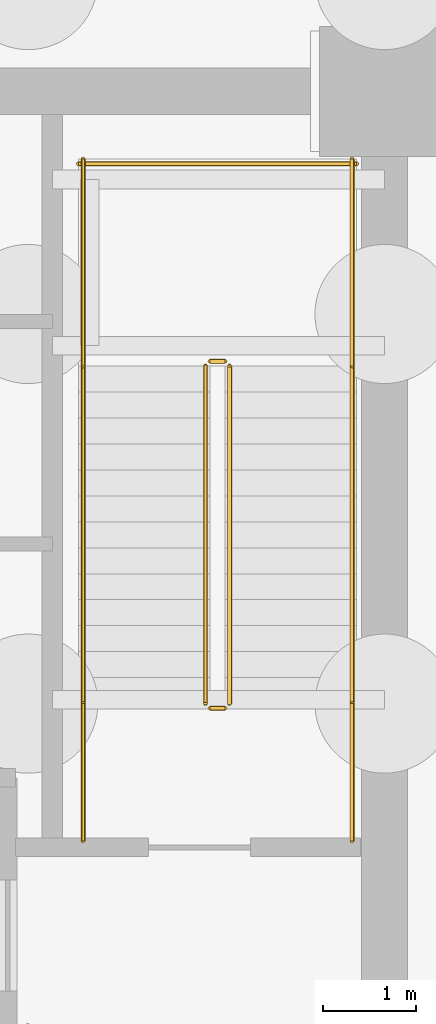
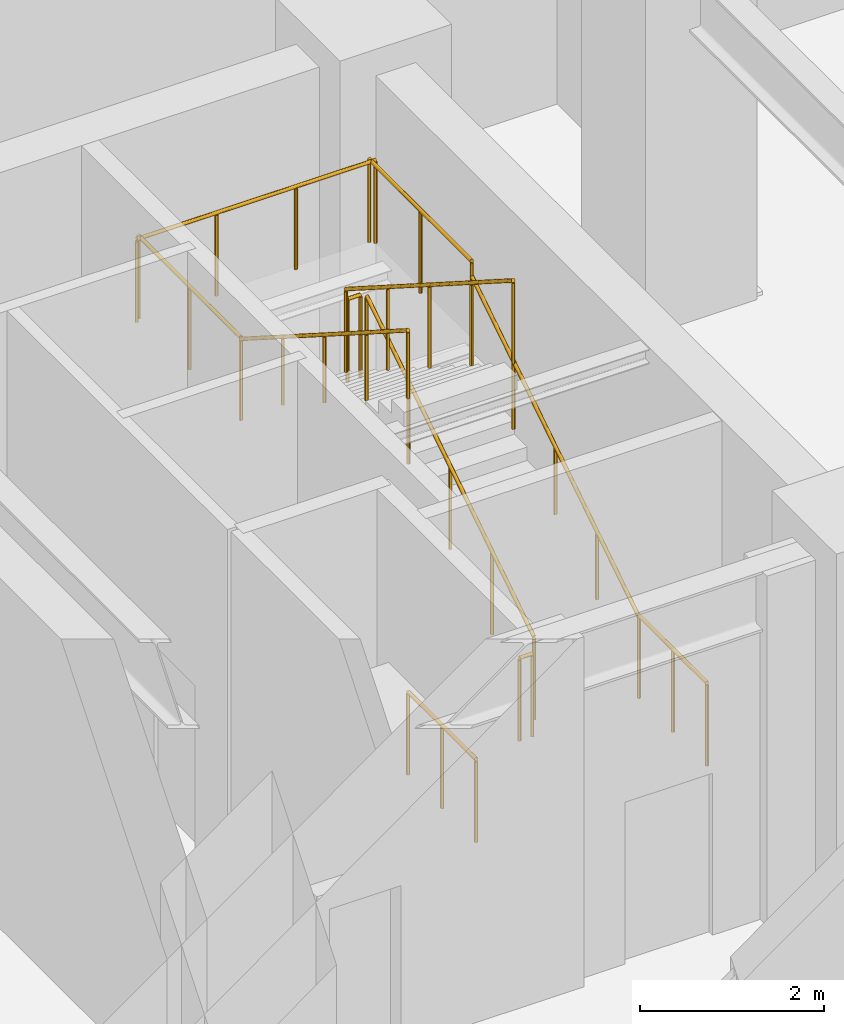
# One storey, part 8 of 9: 11 railings.
"""IFC4 building model written with IfcOpenShell, lengths in metres."""

from ifc_helpers import new_model, si_unit, direction, frame, origin, origin_2d, place, context, subcontext, project, spatial, circle, extrude, material, layer, layer_set, type_object, element, save


model = new_model("IFC4")

# Units and contexts
model_context = context("Model", 3, precision=1e-05, world=origin(), true_north=direction((0.0, 1.0)))
body_context = subcontext(model_context, "Body", "Model", "MODEL_VIEW")
ifc_project = project(units=[si_unit("LENGTHUNIT", "METRE"), si_unit("AREAUNIT", "SQUARE_METRE"), si_unit("VOLUMEUNIT", "CUBIC_METRE"), si_unit("PLANEANGLEUNIT", "RADIAN"), si_unit("MASSUNIT", "GRAM", prefix="KILO")], contexts=[model_context])

# Site, building, storey
site_placement = place(None, origin())
site = spatial("IfcSite", under=ifc_project, at=site_placement, CompositionType="ELEMENT")
building_placement = place(site_placement, origin())
building = spatial("IfcBuilding", under=site, at=building_placement, Name="Yelkora Congress Tower", CompositionType="ELEMENT")
storey_placement = place(building_placement, frame((0.0, 0.0, -10.0)))
storey = spatial("IfcBuildingStorey", under=building, at=storey_placement, Name="B02", CompositionType="ELEMENT", Elevation=-10.0)

# Railings
ifc_material_1 = material(Name="Painted galvanised steel stair well guard with vertical infill", Category="steel")
ifc_layer_1 = layer(ifc_material_1, 0.06005859375)
ifc_layer_set_1 = layer_set([ifc_layer_1], Name="Painted galvanised steel stair well guard with vertical infill")
railing_type_1 = type_object("IfcRailingType", Name="RAIL-STAIR-GUARD-1120", PredefinedType="GUARDRAIL", material=ifc_layer_set_1)
railing_1_placement = place(storey_placement, frame((52.090087890625, 39.60009765625, 0.178466796875)))
element("IfcRailing", 1, at=railing_1_placement, inside=storey, type_object=railing_type_1, Name="ST-02 B02 Stair Well Guardrail 1", PredefinedType="GUARDRAIL", context=body_context, shape_type="SweptSolid", body=[
    extrude(circle(Radius=0.02392578125, at=origin_2d()), frame((0.0, 0.0, 1.09619140625), z_axis=(0.0, 0.843111507901, 0.53773877045), x_axis=(-1.0, 0.0, 0.0)), (0.0, 0.0, 1.0), 4.317138671875),
    extrude(circle(Radius=0.02099609375, at=origin_2d()), origin(), (0.0, 0.0, 1.0), 1.072021484375),
    extrude(circle(Radius=0.02099609375, at=origin_2d()), frame((0.0, 0.909912109375, 0.580322265625)), (0.0, 0.0, 1.0), 1.072021484375),
    extrude(circle(Radius=0.02099609375, at=origin_2d()), frame((0.0, 1.81982421875, 1.16064453125)), (0.0, 0.0, 1.0), 1.072021484375),
    extrude(circle(Radius=0.02099609375, at=origin_2d()), frame((0.0, 2.72998046875, 1.7412109375)), (0.0, 0.0, 1.0), 1.072021484375),
    extrude(circle(Radius=0.02099609375, at=origin_2d()), frame((0.0, 3.639892578125, 2.321533203125)), (0.0, 0.0, 1.0), 1.072021484375),
])
railing_2_placement = place(storey_placement, frame((52.0400390625, 43.2900390625, 2.5)))
element("IfcRailing", 2, at=railing_2_placement, inside=storey, type_object=railing_type_1, Name="ST-02 B02 Stair Well Guardrail 2", PredefinedType="GUARDRAIL", context=body_context, shape_type="SweptSolid", body=[
    extrude(circle(Radius=0.02392578125, at=origin_2d()), frame((0.0, 0.0, 1.09619140625), z_axis=(-1.0, 0.0, 0.0), x_axis=(0.0, -1.0, 0.0)), (0.0, 0.0, 1.0), 0.16015625),
    extrude(circle(Radius=0.02099609375, at=origin_2d()), origin(), (0.0, 0.0, 1.0), 1.072021484375),
    extrude(circle(Radius=0.02099609375, at=origin_2d()), frame((-0.16015625, 0.0, 0.0)), (0.0, 0.0, 1.0), 1.072021484375),
])
for number, where, name in (
    (3, (53.409912109375, 43.239990234375, 2.5), "ST-02 B02 Stair Well Guardrail 3"),
    (4, (50.510009765625, 43.239990234375, 2.5), "ST-02 B02 Stair Well Guardrail 4"),
):
    element("IfcRailing", number, at=place(storey_placement, frame(where)), inside=storey, type_object=railing_type_1, Name=name, PredefinedType="GUARDRAIL", context=body_context, shape_type="SweptSolid", body=[
        extrude(circle(Radius=0.02392578125, at=origin_2d()), frame((0.0, 0.0, 1.09619140625), z_axis=(0.0, 1.0, 0.0), x_axis=(-1.0, 0.0, 0.0)), (0.0, 0.0, 1.0), 2.22998046875),
        extrude(circle(Radius=0.02099609375, at=origin_2d()), origin(), (0.0, 0.0, 1.0), 1.072021484375),
        extrude(circle(Radius=0.02099609375, at=origin_2d()), frame((0.0, 1.114990234375, 0.0)), (0.0, 0.0, 1.0), 1.072021484375),
        extrude(circle(Radius=0.02099609375, at=origin_2d()), frame((0.0, 2.22998046875, 0.0)), (0.0, 0.0, 1.0), 1.072021484375),
    ])
railing_3_placement = place(storey_placement, frame((53.4599609375, 45.419921875, 2.5)))
element("IfcRailing", 5, at=railing_3_placement, inside=storey, type_object=railing_type_1, Name="ST-02 B02 Stair Well Guardrail 5", PredefinedType="GUARDRAIL", context=body_context, shape_type="SweptSolid", body=[
    extrude(circle(Radius=0.02392578125, at=origin_2d()), frame((0.0, 0.0, 1.09619140625), z_axis=(-1.0, 0.0, 0.0), x_axis=(0.0, -1.0, 0.0)), (0.0, 0.0, 1.0), 3.0),
    extrude(circle(Radius=0.02099609375, at=origin_2d()), origin(), (0.0, 0.0, 1.0), 1.072021484375),
    extrude(circle(Radius=0.02099609375, at=origin_2d()), frame((-1.0, 0.0, 0.0)), (0.0, 0.0, 1.0), 1.072021484375),
    extrude(circle(Radius=0.02099609375, at=origin_2d()), frame((-2.0, 0.0, 0.0)), (0.0, 0.0, 1.0), 1.072021484375),
    extrude(circle(Radius=0.02099609375, at=origin_2d()), frame((-3.0, 0.0, 0.0)), (0.0, 0.0, 1.0), 1.072021484375),
])
railing_4_placement = place(storey_placement, frame((51.830078125, 43.239990234375, 2.678466796875)))
element("IfcRailing", 6, at=railing_4_placement, inside=storey, type_object=railing_type_1, Name="ST-02 B02 Stair Well Guardrail 6", PredefinedType="GUARDRAIL", context=body_context, shape_type="SweptSolid", body=[
    extrude(circle(Radius=0.02392578125, at=origin_2d()), frame((0.0, 0.0, 1.09619140625), z_axis=(0.0, -0.843111507901, 0.53773877045), x_axis=(1.0, 0.0, 0.0)), (0.0, 0.0, 1.0), 4.317138671875),
    extrude(circle(Radius=0.02099609375, at=origin_2d()), origin(), (0.0, 0.0, 1.0), 1.072021484375),
    extrude(circle(Radius=0.02099609375, at=origin_2d()), frame((0.0, -0.909912109375, 0.580322265625)), (0.0, 0.0, 1.0), 1.072021484375),
    extrude(circle(Radius=0.02099609375, at=origin_2d()), frame((0.0, -1.81982421875, 1.16064453125)), (0.0, 0.0, 1.0), 1.072021484375),
    extrude(circle(Radius=0.02099609375, at=origin_2d()), frame((0.0, -2.72998046875, 1.7412109375)), (0.0, 0.0, 1.0), 1.072021484375),
    extrude(circle(Radius=0.02099609375, at=origin_2d()), frame((0.0, -3.639892578125, 2.321533203125)), (0.0, 0.0, 1.0), 1.072021484375),
])
railing_5_placement = place(storey_placement, frame((52.0400390625, 39.550048828125, 0.0)))
element("IfcRailing", 7, at=railing_5_placement, inside=storey, type_object=railing_type_1, Name="ST-02 B02 Stair Well Guardrail 7", PredefinedType="GUARDRAIL", context=body_context, shape_type="SweptSolid", body=[
    extrude(circle(Radius=0.02392578125, at=origin_2d()), frame((0.0, 0.0, 1.09619140625), z_axis=(-1.0, 0.0, 0.0), x_axis=(0.0, -1.0, 0.0)), (0.0, 0.0, 1.0), 0.16015625),
    extrude(circle(Radius=0.02099609375, at=origin_2d()), origin(), (0.0, 0.0, 1.0), 1.072021484375),
    extrude(circle(Radius=0.02099609375, at=origin_2d()), frame((-0.16015625, 0.0, 0.0)), (0.0, 0.0, 1.0), 1.072021484375),
])
for number, where, name in (
    (8, (53.409912109375, 38.1201171875, 0.0), "ST-02 B02 Stair Well Guardrail 8"),
    (9, (50.510009765625, 38.1201171875, 0.0), "ST-02 B02 Stair Well Guardrail 9"),
):
    element("IfcRailing", number, at=place(storey_placement, frame(where)), inside=storey, type_object=railing_type_1, Name=name, PredefinedType="GUARDRAIL", context=body_context, shape_type="SweptSolid", body=[
        extrude(circle(Radius=0.02392578125, at=origin_2d()), frame((0.0, 0.0, 1.09619140625), z_axis=(0.0, 1.0, 0.0), x_axis=(-1.0, 0.0, 0.0)), (0.0, 0.0, 1.0), 1.47998046875),
        extrude(circle(Radius=0.02099609375, at=origin_2d()), origin(), (0.0, 0.0, 1.0), 1.072021484375),
        extrude(circle(Radius=0.02099609375, at=origin_2d()), frame((0.0, 0.739990234375, 0.0)), (0.0, 0.0, 1.0), 1.072021484375),
        extrude(circle(Radius=0.02099609375, at=origin_2d()), frame((0.0, 1.47998046875, 0.0)), (0.0, 0.0, 1.0), 1.072021484375),
    ])
ifc_material_2 = material(Name="Brushed stainless steel tubular handrail", Category="steel")
ifc_layer_2 = layer(ifc_material_2, 0.050048828125)
ifc_layer_set_2 = layer_set([ifc_layer_2], Name="Brushed stainless steel tubular handrail")
railing_type_2 = type_object("IfcRailingType", Name="RAIL-STAIR-HAND-920", PredefinedType="HANDRAIL", material=ifc_layer_set_2)
railing_6_placement = place(storey_placement, frame((53.409912109375, 39.60009765625, 0.178466796875)))
element("IfcRailing", 10, at=railing_6_placement, inside=storey, type_object=railing_type_2, Name="ST-02 B02 Pitch Handrail 1", PredefinedType="HANDRAIL", context=body_context, shape_type="SweptSolid", body=[
    extrude(circle(Radius=0.02392578125, at=origin_2d()), frame((0.0, 0.0, 0.89599609375), z_axis=(0.0, 0.843111507901, 0.53773877045), x_axis=(-1.0, 0.0, 0.0)), (0.0, 0.0, 1.0), 4.317138671875),
    extrude(circle(Radius=0.02099609375, at=origin_2d()), origin(), (0.0, 0.0, 1.0), 0.871826171875),
    extrude(circle(Radius=0.02099609375, at=origin_2d()), frame((0.0, 0.909912109375, 0.580322265625)), (0.0, 0.0, 1.0), 0.871826171875),
    extrude(circle(Radius=0.02099609375, at=origin_2d()), frame((0.0, 1.81982421875, 1.16064453125)), (0.0, 0.0, 1.0), 0.871826171875),
    extrude(circle(Radius=0.02099609375, at=origin_2d()), frame((0.0, 2.72998046875, 1.7412109375)), (0.0, 0.0, 1.0), 0.871826171875),
    extrude(circle(Radius=0.02099609375, at=origin_2d()), frame((0.0, 3.639892578125, 2.321533203125)), (0.0, 0.0, 1.0), 0.871826171875),
])
railing_7_placement = place(storey_placement, frame((50.510009765625, 43.239990234375, 2.678466796875)))
element("IfcRailing", 11, at=railing_7_placement, inside=storey, type_object=railing_type_2, Name="ST-02 B02 Pitch Handrail 2", PredefinedType="HANDRAIL", context=body_context, shape_type="SweptSolid", body=[
    extrude(circle(Radius=0.02392578125, at=origin_2d()), frame((0.0, 0.0, 0.89599609375), z_axis=(0.0, -0.843111507901, 0.53773877045), x_axis=(1.0, 0.0, 0.0)), (0.0, 0.0, 1.0), 4.317138671875),
    extrude(circle(Radius=0.02099609375, at=origin_2d()), origin(), (0.0, 0.0, 1.0), 0.871826171875),
    extrude(circle(Radius=0.02099609375, at=origin_2d()), frame((0.0, -0.909912109375, 0.580322265625)), (0.0, 0.0, 1.0), 0.871826171875),
    extrude(circle(Radius=0.02099609375, at=origin_2d()), frame((0.0, -1.81982421875, 1.16064453125)), (0.0, 0.0, 1.0), 0.871826171875),
    extrude(circle(Radius=0.02099609375, at=origin_2d()), frame((0.0, -2.72998046875, 1.7412109375)), (0.0, 0.0, 1.0), 0.871826171875),
    extrude(circle(Radius=0.02099609375, at=origin_2d()), frame((0.0, -3.639892578125, 2.321533203125)), (0.0, 0.0, 1.0), 0.871826171875),
])

save(model, "model.ifc")
